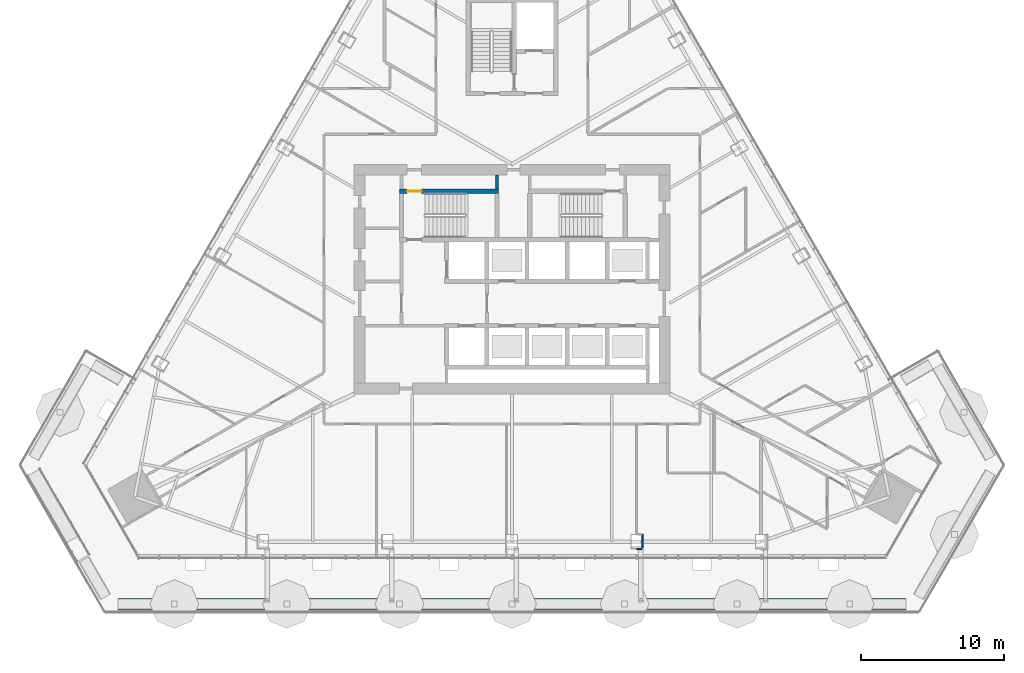
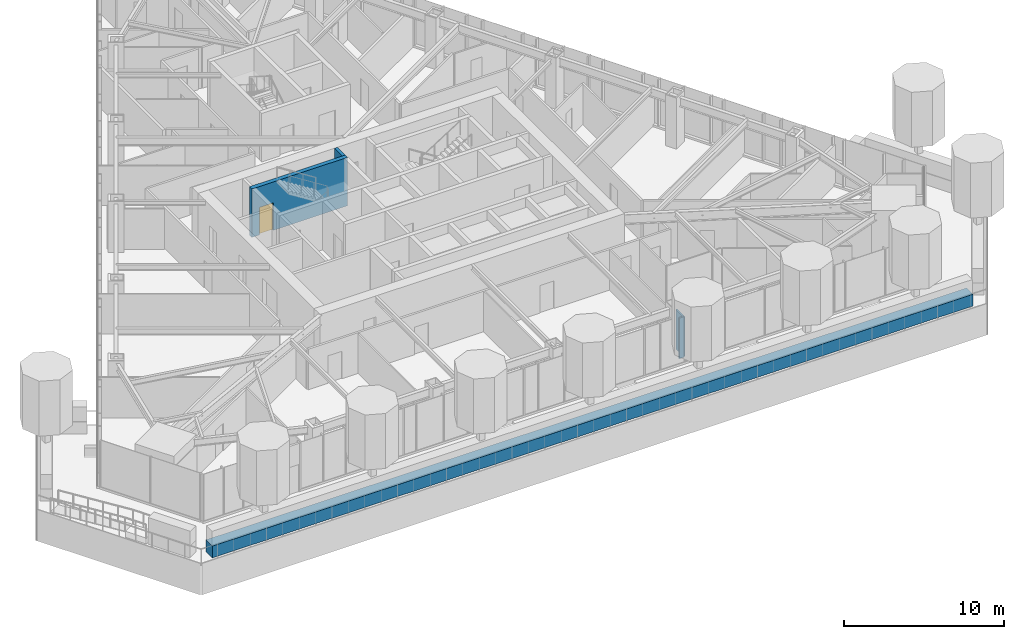
# One storey, part 16 of 24: 5 walls, 1 door, 1 opening.
"""IFC4 building model written with IfcOpenShell, lengths in metres."""

from ifc_helpers import new_model, si_unit, direction, frame, frame_2d, origin, place, context, subcontext, project, spatial, rectangle, extrude, material, layer, layer_set, type_object, element, fill, save


model = new_model("IFC4")

# Units and contexts
model_context = context("Model", 3, precision=1e-05, world=origin(), true_north=direction((0.0, 1.0)))
body_context = subcontext(model_context, "Body", "Model", "MODEL_VIEW")
ifc_project = project(units=[si_unit("LENGTHUNIT", "METRE"), si_unit("AREAUNIT", "SQUARE_METRE"), si_unit("VOLUMEUNIT", "CUBIC_METRE"), si_unit("PLANEANGLEUNIT", "RADIAN"), si_unit("MASSUNIT", "GRAM", prefix="KILO")], contexts=[model_context])

# Site, building, storey
site_placement = place(None, origin())
site = spatial("IfcSite", under=ifc_project, at=site_placement, CompositionType="ELEMENT")
building_placement = place(site_placement, origin())
building = spatial("IfcBuilding", under=site, at=building_placement, Name="Firuza Gate Tower and Library", CompositionType="ELEMENT")
storey_placement = place(building_placement, frame((0.0, 0.0, 194.800048828125)))
storey = spatial("IfcBuildingStorey", under=building, at=storey_placement, Name="L45", CompositionType="ELEMENT", Elevation=194.800048828125)

# Wall
ifc_material_1 = material(Name="Plasterboard on steel studs", Category="steel")
ifc_layer_1 = layer(ifc_material_1, 0.199951171875)
ifc_layer_set_1 = layer_set([ifc_layer_1], Name="Core partition 200 EI 60")
wall_type_1 = type_object("IfcWallType", Name="Core partition 200 EI 60", PredefinedType="PARTITIONING", material=ifc_layer_set_1)
wall_1_placement = place(storey_placement, frame((73.9599609375, 81.280029296875, 0.0), z_axis=(0.0, 0.0, 1.0), x_axis=(0.0, 1.0, 0.0)))
element("IfcWall", 1, at=wall_1_placement, inside=storey, type_object=wall_type_1, Name="Core partition L45 11", PredefinedType="PARTITIONING", context=body_context, shape_type="SweptSolid", body=[
    extrude(rectangle(XDim=0.969970703125, YDim=0.199951171875, at=frame_2d((0.48486328125, 0.0))), origin(), (0.0, 0.0, 1.0), 3.699951171875),
])

# Wall, opening, door
ifc_material_2 = material(Name="Concrete C80/95", Category="concrete")
ifc_layer_2 = layer(ifc_material_2, 0.300048828125)
ifc_layer_set_2 = layer_set([ifc_layer_2], Name="Core wall 300 C80/95")
wall_type_2 = type_object("IfcWallType", Name="Core wall 300 C80/95", PredefinedType="SHEAR", material=ifc_layer_set_2)
wall_2_placement = place(storey_placement, frame((67.14990234375, 81.1298828125, 0.0), z_axis=(0.0, 0.0, 1.0), x_axis=(1.0, 0.0, 0.0)))
wall_2 = element("IfcWall", 2, at=wall_2_placement, inside=storey, type_object=wall_type_2, Name="Core wall L45 21", PredefinedType="SHEAR", context=body_context, shape_type="SweptSolid", body=[
    extrude(rectangle(XDim=6.91015625, YDim=0.300048828125, at=frame_2d((3.455078125, 0.0))), origin(), (0.0, 0.0, 1.0), 3.699951171875),
])
opening_placement = place(wall_2_placement, frame((0.544921875, 0.0, 0.0)))
opening = element("IfcOpeningElement", 3, at=opening_placement, cuts=wall_2, Name="Opening L45-K11", PredefinedType="OPENING", context=body_context, shape_type="SweptSolid", body=[
    extrude(rectangle(XDim=1.0, YDim=2.10009765625, at=frame_2d((0.5, 1.050048828125))), frame((0.0, 0.16015625, 0.0), z_axis=(0.0, -1.0, 0.0), x_axis=(1.0, 0.0, 0.0)), (0.0, 0.0, 1.0), 0.320068359375),
])
ifc_material_3 = material(Name="Steel", Category="steel")
door_type = type_object("IfcDoorType", Name="Fire door 1000x2100 FD90", OperationType="NOTDEFINED", PredefinedType="DOOR", material=ifc_material_3)
door_placement = place(opening_placement, origin())
door = element("IfcDoor", 4, at=door_placement, inside=storey, type_object=door_type, Name="Door L45-K11", OperationType="SINGLE_SWING_RIGHT", OverallHeight=2.10009765625, OverallWidth=1.0, PredefinedType="DOOR", context=body_context, shape_type="SweptSolid", body=[
    extrude(rectangle(XDim=1.0, YDim=2.10009765625, at=frame_2d((0.5, 1.050048828125))), frame((0.0, 0.02490234375, 0.0), z_axis=(0.0, -1.0, 0.0), x_axis=(1.0, 0.0, 0.0)), (0.0, 0.0, 1.0), 0.050048828125),
])
fill(opening, door)

# Walls
ifc_material_4 = material(Name="Gypsum board partition")
ifc_layer_3 = layer(ifc_material_4, 0.10009765625)
ifc_layer_set_3 = layer_set([ifc_layer_3], Name="Partition 100 gypsum board on steel studs")
wall_type_3 = type_object("IfcWallType", Name="Partition 100 gypsum board on steel studs", PredefinedType="PARTITIONING", material=ifc_layer_set_3)
wall_3_placement = place(storey_placement, frame((83.685791015625, 56.198974609375, 0.0), z_axis=(0.0, 0.0, 1.0), x_axis=(1.0, 0.0, 0.0)))
element("IfcWall", 5, at=wall_3_placement, inside=storey, type_object=wall_type_3, Name="f:L45:w000", PredefinedType="PARTITIONING", context=body_context, shape_type="SweptSolid", body=[
    extrude(rectangle(XDim=0.349609375, YDim=0.10009765625, at=frame_2d((0.1748046875, 0.0))), origin(), (0.0, 0.0, 1.0), 3.099853515625),
])
wall_4_placement = place(storey_placement, frame((84.0859375, 56.199462890625, 0.0), z_axis=(0.0, 0.0, 1.0), x_axis=(0.0, 1.0, 0.0)))
element("IfcWall", 6, at=wall_4_placement, inside=storey, type_object=wall_type_3, Name="f:L45:w039", PredefinedType="PARTITIONING", context=body_context, shape_type="SweptSolid", body=[
    extrude(rectangle(XDim=0.998779296875, YDim=0.10009765625, at=frame_2d((0.49951171875, 0.0))), origin(), (0.0, 0.0, 1.0), 3.02197265625),
])
ifc_material_5 = material(Name="Concrete C40/50", Category="concrete")
ifc_layer_4 = layer(ifc_material_5, 0.800048828125)
ifc_layer_set_4 = layer_set([ifc_layer_4], Name="Planter wall 800")
wall_type_4 = type_object("IfcWallType", Name="Planter wall 800", PredefinedType="SOLIDWALL", material=ifc_layer_set_4)
wall_5_placement = place(storey_placement, frame((47.533203125, 52.348876953125, 0.0), z_axis=(0.0, 0.0, 1.0), x_axis=(1.0, 0.0, 0.0)))
element("IfcWall", 7, at=wall_5_placement, inside=storey, type_object=wall_type_4, Name="PLANTER L45 4", PredefinedType="SOLIDWALL", context=body_context, shape_type="SweptSolid", body=[
    extrude(rectangle(XDim=54.93359375, YDim=0.800048828125, at=frame_2d((27.466796875, 0.0))), origin(), (0.0, 0.0, 1.0), 0.89990234375),
])

save(model, "model.ifc")
